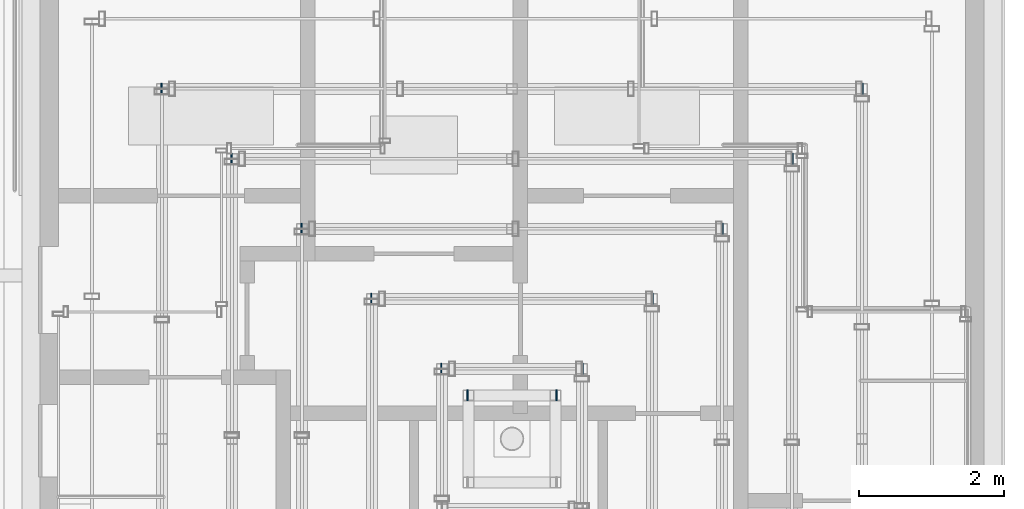
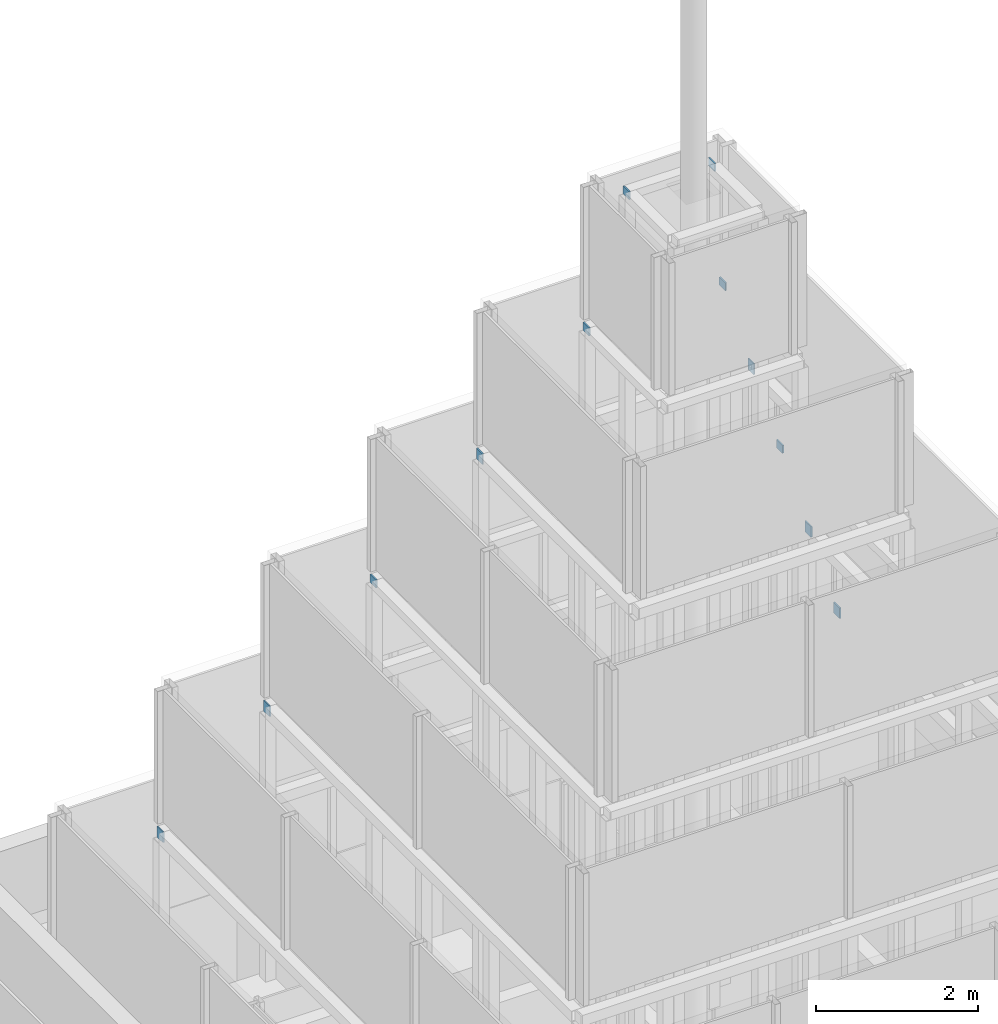
# One storey, part 60 of 62: 12 discrete accessories.
"""IFC4 building model written with IfcOpenShell, lengths in metres."""

from ifc_helpers import new_model, si_unit, direction, frame, origin, origin_2d, place, context, subcontext, project, spatial, rectangle, extrude, element, save


model = new_model("IFC4")

# Units and contexts
model_context = context("Model", 3, precision=1e-05, world=origin(), true_north=direction((0.0, 1.0)))
body_context = subcontext(model_context, "Body", "Model", "MODEL_VIEW")
ifc_project = project(units=[si_unit("LENGTHUNIT", "METRE"), si_unit("AREAUNIT", "SQUARE_METRE"), si_unit("VOLUMEUNIT", "CUBIC_METRE"), si_unit("PLANEANGLEUNIT", "RADIAN"), si_unit("MASSUNIT", "GRAM", prefix="KILO")], contexts=[model_context])

# Site, building, storey
site_placement = place(None, origin())
site = spatial("IfcSite", under=ifc_project, at=site_placement, CompositionType="ELEMENT")
building_placement = place(site_placement, origin())
building = spatial("IfcBuilding", under=site, at=building_placement, Name="Altepetl Exchange Towers", CompositionType="ELEMENT")
storey_placement = place(building_placement, frame((0.0, 0.0, 210.0)))
storey = spatial("IfcBuildingStorey", under=building, at=storey_placement, Name="L53", CompositionType="ELEMENT", Elevation=210.0)

# Discrete accessories
discrete_accessory_1_placement = place(storey_placement, frame((115.081298828125, 47.5712890625, 5.43994140625)))
element("IfcDiscreteAccessory", 1, at=discrete_accessory_1_placement, inside=storey, Name="End cap plate", ObjectType="END CAP PLATE", PredefinedType="USERDEFINED", context=body_context, shape_type="SweptSolid", body=[
    extrude(rectangle(XDim=0.02001953125, YDim=0.14990234375, at=origin_2d()), origin(), (0.0, 0.0, 1.0), 0.159912109375),
])
discrete_accessory_2_placement = place(storey_placement, frame((105.418701171875, 47.5712890625, 5.43994140625), z_axis=(0.0, 0.0, 1.0), x_axis=(-1.0, 0.0, 0.0)))
element("IfcDiscreteAccessory", 2, at=discrete_accessory_2_placement, inside=storey, Name="End cap plate", ObjectType="END CAP PLATE", PredefinedType="USERDEFINED", context=body_context, shape_type="SweptSolid", body=[
    extrude(rectangle(XDim=0.02001953125, YDim=0.14990234375, at=origin_2d()), origin(), (0.0, 0.0, 1.0), 0.159912109375),
])
discrete_accessory_3_placement = place(storey_placement, frame((114.1171875, 46.607177734375, 7.58984375)))
element("IfcDiscreteAccessory", 3, at=discrete_accessory_3_placement, inside=storey, Name="End cap plate", ObjectType="END CAP PLATE", PredefinedType="USERDEFINED", context=body_context, shape_type="SweptSolid", body=[
    extrude(rectangle(XDim=0.02001953125, YDim=0.14990234375, at=origin_2d()), origin(), (0.0, 0.0, 1.0), 0.159912109375),
])
discrete_accessory_4_placement = place(storey_placement, frame((106.3828125, 46.607177734375, 7.58984375), z_axis=(0.0, 0.0, 1.0), x_axis=(-1.0, 0.0, 0.0)))
element("IfcDiscreteAccessory", 4, at=discrete_accessory_4_placement, inside=storey, Name="End cap plate", ObjectType="END CAP PLATE", PredefinedType="USERDEFINED", context=body_context, shape_type="SweptSolid", body=[
    extrude(rectangle(XDim=0.02001953125, YDim=0.14990234375, at=origin_2d()), origin(), (0.0, 0.0, 1.0), 0.159912109375),
])
discrete_accessory_5_placement = place(storey_placement, frame((113.15283203125, 45.642822265625, 9.780029296875)))
element("IfcDiscreteAccessory", 5, at=discrete_accessory_5_placement, inside=storey, Name="End cap plate", ObjectType="END CAP PLATE", PredefinedType="USERDEFINED", context=body_context, shape_type="SweptSolid", body=[
    extrude(rectangle(XDim=0.02001953125, YDim=0.14990234375, at=origin_2d()), origin(), (0.0, 0.0, 1.0), 0.1201171875),
])
discrete_accessory_6_placement = place(storey_placement, frame((107.34716796875, 45.642822265625, 9.780029296875), z_axis=(0.0, 0.0, 1.0), x_axis=(-1.0, 0.0, 0.0)))
element("IfcDiscreteAccessory", 6, at=discrete_accessory_6_placement, inside=storey, Name="End cap plate", ObjectType="END CAP PLATE", PredefinedType="USERDEFINED", context=body_context, shape_type="SweptSolid", body=[
    extrude(rectangle(XDim=0.02001953125, YDim=0.14990234375, at=origin_2d()), origin(), (0.0, 0.0, 1.0), 0.1201171875),
])
discrete_accessory_7_placement = place(storey_placement, frame((112.188720703125, 44.6787109375, 11.89013671875)))
element("IfcDiscreteAccessory", 7, at=discrete_accessory_7_placement, inside=storey, Name="End cap plate", ObjectType="END CAP PLATE", PredefinedType="USERDEFINED", context=body_context, shape_type="SweptSolid", body=[
    extrude(rectangle(XDim=0.02001953125, YDim=0.14990234375, at=origin_2d()), origin(), (0.0, 0.0, 1.0), 0.159912109375),
])
discrete_accessory_8_placement = place(storey_placement, frame((108.311279296875, 44.6787109375, 11.89013671875), z_axis=(0.0, 0.0, 1.0), x_axis=(-1.0, 0.0, 0.0)))
element("IfcDiscreteAccessory", 8, at=discrete_accessory_8_placement, inside=storey, Name="End cap plate", ObjectType="END CAP PLATE", PredefinedType="USERDEFINED", context=body_context, shape_type="SweptSolid", body=[
    extrude(rectangle(XDim=0.02001953125, YDim=0.14990234375, at=origin_2d()), origin(), (0.0, 0.0, 1.0), 0.159912109375),
])
discrete_accessory_9_placement = place(storey_placement, frame((111.224365234375, 43.71435546875, 14.079833984375)))
element("IfcDiscreteAccessory", 9, at=discrete_accessory_9_placement, inside=storey, Name="End cap plate", ObjectType="END CAP PLATE", PredefinedType="USERDEFINED", context=body_context, shape_type="SweptSolid", body=[
    extrude(rectangle(XDim=0.02001953125, YDim=0.14990234375, at=origin_2d()), origin(), (0.0, 0.0, 1.0), 0.1201171875),
])
discrete_accessory_10_placement = place(storey_placement, frame((109.275634765625, 43.71435546875, 14.079833984375), z_axis=(0.0, 0.0, 1.0), x_axis=(-1.0, 0.0, 0.0)))
element("IfcDiscreteAccessory", 10, at=discrete_accessory_10_placement, inside=storey, Name="End cap plate", ObjectType="END CAP PLATE", PredefinedType="USERDEFINED", context=body_context, shape_type="SweptSolid", body=[
    extrude(rectangle(XDim=0.02001953125, YDim=0.14990234375, at=origin_2d()), origin(), (0.0, 0.0, 1.0), 0.1201171875),
])
discrete_accessory_11_placement = place(storey_placement, frame((110.860107421875, 43.35009765625, 16.22998046875)))
element("IfcDiscreteAccessory", 11, at=discrete_accessory_11_placement, inside=storey, Name="End cap plate", ObjectType="END CAP PLATE", PredefinedType="USERDEFINED", context=body_context, shape_type="SweptSolid", body=[
    extrude(rectangle(XDim=0.02001953125, YDim=0.14990234375, at=origin_2d()), origin(), (0.0, 0.0, 1.0), 0.1201171875),
])
discrete_accessory_12_placement = place(storey_placement, frame((109.639892578125, 43.35009765625, 16.22998046875), z_axis=(0.0, 0.0, 1.0), x_axis=(-1.0, 0.0, 0.0)))
element("IfcDiscreteAccessory", 12, at=discrete_accessory_12_placement, inside=storey, Name="End cap plate", ObjectType="END CAP PLATE", PredefinedType="USERDEFINED", context=body_context, shape_type="SweptSolid", body=[
    extrude(rectangle(XDim=0.02001953125, YDim=0.14990234375, at=origin_2d()), origin(), (0.0, 0.0, 1.0), 0.1201171875),
])

save(model, "model.ifc")
